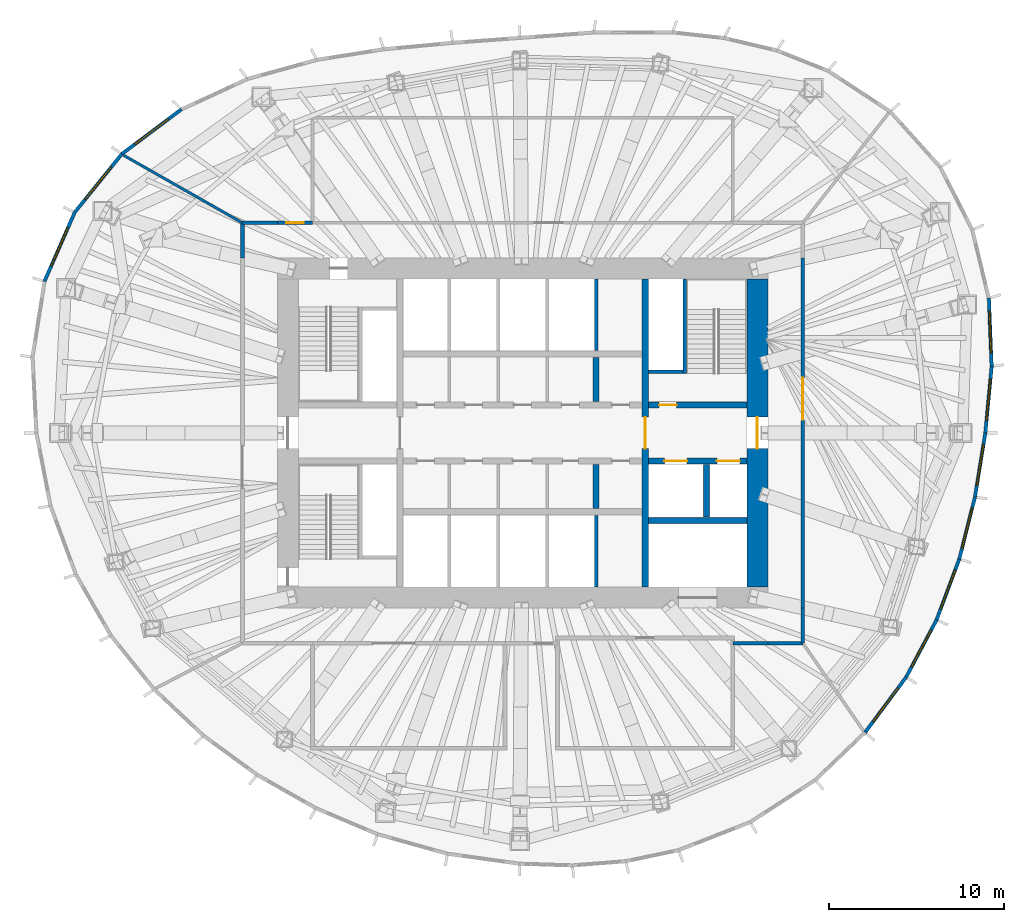
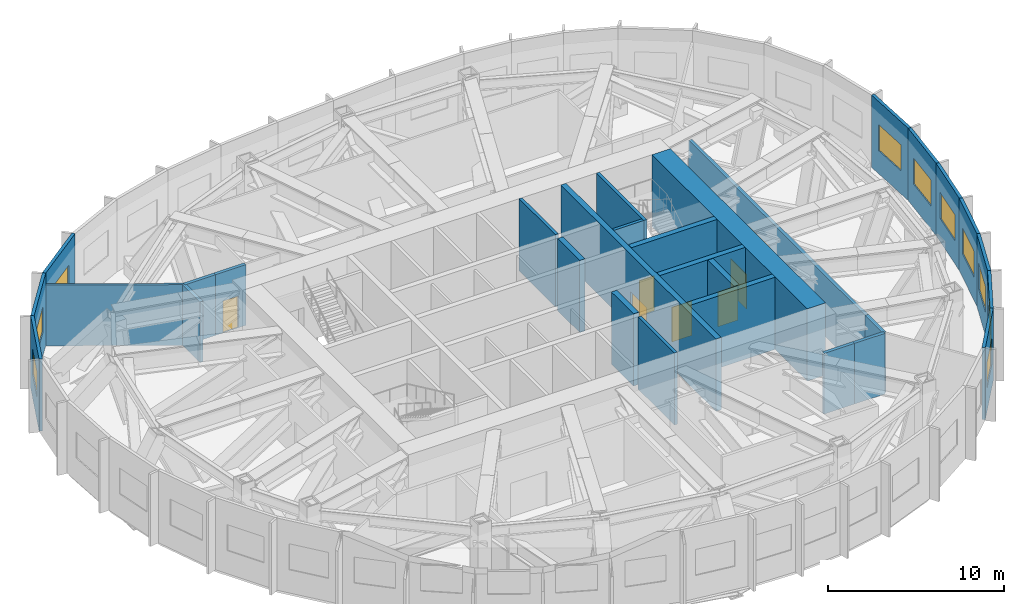
# One storey, part 8 of 11: 30 walls, 10 windows, 7 doors, 17 openings.
"""IFC4 building model written with IfcOpenShell, lengths in metres."""

from ifc_helpers import new_model, si_unit, direction, frame, frame_2d, origin, place, context, subcontext, project, spatial, rectangle, extrude, material, layer, layer_set, type_object, element, fill, save


model = new_model("IFC4")

# Units and contexts
model_context = context("Model", 3, precision=1e-05, world=origin(), true_north=direction((0.0, 1.0)))
body_context = subcontext(model_context, "Body", "Model", "MODEL_VIEW")
ifc_project = project(units=[si_unit("LENGTHUNIT", "METRE"), si_unit("AREAUNIT", "SQUARE_METRE"), si_unit("VOLUMEUNIT", "CUBIC_METRE"), si_unit("PLANEANGLEUNIT", "RADIAN"), si_unit("MASSUNIT", "GRAM", prefix="KILO")], contexts=[model_context])

# Site, building, storey
site_placement = place(None, origin())
site = spatial("IfcSite", under=ifc_project, at=site_placement, CompositionType="ELEMENT")
building_placement = place(site_placement, origin())
building = spatial("IfcBuilding", under=site, at=building_placement, Name="Ghaith Harvest Tower", CompositionType="ELEMENT")
storey_placement = place(building_placement, frame((0.0, 0.0, 266.199951171875)))
storey = spatial("IfcBuildingStorey", under=building, at=storey_placement, Name="L59", CompositionType="ELEMENT", Elevation=266.199951171875)

# Wall, opening, door
ifc_material_1 = material(Name="Concrete blockwork, 1-hour", Category="masonry")
ifc_layer_1 = layer(ifc_material_1, 0.215087890625)
ifc_layer_set_1 = layer_set([ifc_layer_1], Name="BLOCKWORK WALL 215")
wall_type_1 = type_object("IfcWallType", Name="BLOCKWORK WALL 215", PredefinedType="PARTITIONING", material=ifc_layer_set_1)
wall_1_placement = place(storey_placement, frame((-12.0, 12.0, 0.0), z_axis=(0.0, 0.0, 1.0), x_axis=(-1.0, 0.0, 0.0)))
wall_1 = element("IfcWall", 1, at=wall_1_placement, inside=storey, type_object=wall_type_1, Name="Plant room wall L59", PredefinedType="PARTITIONING", context=body_context, shape_type="SweptSolid", body=[
    extrude(rectangle(XDim=2.0, YDim=0.215087890625, at=frame_2d((1.0, 0.0))), origin(), (0.0, 0.0, 1.0), 4.199951171875),
])
opening_1_placement = place(wall_1_placement, frame((0.5, 0.0, 0.0)))
opening_1 = element("IfcOpeningElement", 2, at=opening_1_placement, cuts=wall_1, Name="Opening 59-024", PredefinedType="OPENING", context=body_context, shape_type="SweptSolid", body=[
    extrude(rectangle(XDim=1.0, YDim=2.199951171875, at=frame_2d((0.5, 1.10009765625))), frame((0.0, 0.11767578125, 0.0), z_axis=(0.0, -1.0, 0.0), x_axis=(1.0, 0.0, 0.0)), (0.0, 0.0, 1.0), 0.235107421875),
])
ifc_material_2 = material(Name="Timber door", Category="wood")
door_type_1 = type_object("IfcDoorType", Name="D1 SINGLE 1000x2200", OperationType="SINGLE_SWING_LEFT", PredefinedType="DOOR", material=ifc_material_2)
door_1_placement = place(opening_1_placement, origin())
door_1 = element("IfcDoor", 3, at=door_1_placement, inside=storey, type_object=door_type_1, Name="Air handling plant room north door", OperationType="SINGLE_SWING_LEFT", OverallHeight=2.199951171875, OverallWidth=1.0, PredefinedType="DOOR", context=body_context, shape_type="SweptSolid", body=[
    extrude(rectangle(XDim=1.0, YDim=2.199951171875, at=frame_2d((0.5, 1.10009765625))), frame((0.0, 0.02490234375, 0.0), z_axis=(0.0, -1.0, 0.0), x_axis=(1.0, 0.0, 0.0)), (0.0, 0.0, 1.0), 0.050048828125),
])
fill(opening_1, door_1)

# Walls
for number, where, z_axis, x_axis, name in (
    (4, (-14.0, 12.0, 0.0), (0.0, 0.0, 1.0), (-1.0, 0.0, 0.0), "Plant room wall L59"),
    (5, (16.0, -12.0, 0.0), (0.0, 0.0, 1.0), (0.0, 1.0, 0.0), "Plant room wall L59"),
):
    element("IfcWall", number, at=place(storey_placement, frame(where, z_axis=z_axis, x_axis=x_axis)), inside=storey, type_object=wall_type_1, Name=name, PredefinedType="PARTITIONING", context=body_context, shape_type="SweptSolid", body=[
        extrude(rectangle(XDim=2.0, YDim=0.215087890625, at=frame_2d((1.0, 0.0))), origin(), (0.0, 0.0, 1.0), 4.199951171875),
    ])

# Wall, opening, door
wall_2_placement = place(storey_placement, frame((16.0, -10.0, 0.0), z_axis=(0.0, 0.0, 1.0), x_axis=(0.0, 1.0, 0.0)))
wall_2 = element("IfcWall", 6, at=wall_2_placement, inside=storey, type_object=wall_type_1, Name="Plant room wall L59", PredefinedType="PARTITIONING", context=body_context, shape_type="SweptSolid", body=[
    extrude(rectangle(XDim=20.0, YDim=0.215087890625, at=frame_2d((10.0, 0.0))), origin(), (0.0, 0.0, 1.0), 4.199951171875),
])
opening_2_placement = place(wall_2_placement, frame((10.75, 0.0, 0.0)))
opening_2 = element("IfcOpeningElement", 7, at=opening_2_placement, cuts=wall_2, Name="Opening 59-025", PredefinedType="OPENING", context=body_context, shape_type="SweptSolid", body=[
    extrude(rectangle(XDim=2.39990234375, YDim=2.39990234375, at=frame_2d((1.199951171875, 1.199951171875))), frame((0.0, 0.11767578125, 0.0), z_axis=(0.0, -1.0, 0.0), x_axis=(1.0, 0.0, 0.0)), (0.0, 0.0, 1.0), 0.235107421875),
])
ifc_material_3 = material(Name="Timber door", Category="wood")
door_type_2 = type_object("IfcDoorType", Name="D10 PLANT PAIR 2400x2400", OperationType="DOUBLE_DOOR_SINGLE_SWING", PredefinedType="DOOR", material=ifc_material_3)
door_2_placement = place(opening_2_placement, origin())
door_2 = element("IfcDoor", 8, at=door_2_placement, inside=storey, type_object=door_type_2, Name="Chilled water plant room east door", OperationType="DOUBLE_DOOR_SINGLE_SWING", OverallHeight=2.39990234375, OverallWidth=2.39990234375, PredefinedType="DOOR", context=body_context, shape_type="SweptSolid", body=[
    extrude(rectangle(XDim=2.39990234375, YDim=2.39990234375, at=frame_2d((1.199951171875, 1.199951171875))), frame((0.0, 0.02490234375, 0.0), z_axis=(0.0, -1.0, 0.0), x_axis=(1.0, 0.0, 0.0)), (0.0, 0.0, 1.0), 0.050048828125),
])
fill(opening_2, door_2)

# Walls
for number, where, z_axis, x_axis, name in (
    (9, (12.0, -12.0, 0.0), (0.0, 0.0, 1.0), (1.0, 0.0, 0.0), "Plant room wall L59"),
    (10, (14.0, -12.0, 0.0), (0.0, 0.0, 1.0), (1.0, 0.0, 0.0), "Plant room wall L59"),
    (11, (-16.0, 12.0, 0.0), (0.0, 0.0, 1.0), (0.0, -1.0, 0.0), "Plant room wall L59"),
):
    element("IfcWall", number, at=place(storey_placement, frame(where, z_axis=z_axis, x_axis=x_axis)), inside=storey, type_object=wall_type_1, Name=name, PredefinedType="PARTITIONING", context=body_context, shape_type="SweptSolid", body=[
        extrude(rectangle(XDim=2.0, YDim=0.215087890625, at=frame_2d((1.0, 0.0))), origin(), (0.0, 0.0, 1.0), 4.199951171875),
    ])

# Wall, opening, door
ifc_material_4 = material(Name="Concrete C60/75", Category="concrete")
ifc_layer_2 = layer(ifc_material_4, 1.199951171875)
ifc_layer_set_2 = layer_set([ifc_layer_2], Name="CORE WALL CW1200 C60")
wall_type_2 = type_object("IfcWallType", Name="CORE WALL CW1200 C60", PredefinedType="SHEAR", material=ifc_layer_set_2)
wall_3_placement = place(storey_placement, frame((13.39990234375, -8.800048828125, 0.0), z_axis=(0.0, 0.0, 1.0), x_axis=(0.0, 1.0, 0.0)))
wall_3 = element("IfcWall", 12, at=wall_3_placement, inside=storey, type_object=wall_type_2, Name="Core wall E L59", PredefinedType="SHEAR", context=body_context, shape_type="SweptSolid", body=[
    extrude(rectangle(XDim=17.60009765625, YDim=1.199951171875, at=frame_2d((8.800048828125, 0.0))), origin(), (0.0, 0.0, 1.0), 5.0),
])
opening_3_placement = place(wall_3_placement, frame((7.89990234375, 0.0, 0.0)))
opening_3 = element("IfcOpeningElement", 13, at=opening_3_placement, cuts=wall_3, Name="Opening 59-002", PredefinedType="OPENING", context=body_context, shape_type="SweptSolid", body=[
    extrude(rectangle(XDim=1.800048828125, YDim=2.39990234375, at=frame_2d((0.89990234375, 1.199951171875))), frame((0.0, 0.60986328125, 0.0), z_axis=(0.0, -1.0, 0.0), x_axis=(1.0, 0.0, 0.0)), (0.0, 0.0, 1.0), 1.219970703125),
])
ifc_material_5 = material(Name="Steel fire door", Category="steel")
door_type_3 = type_object("IfcDoorType", Name="D4 FD90 PAIR 1800x2400", OperationType="DOUBLE_DOOR_SINGLE_SWING", PredefinedType="DOOR", material=ifc_material_5)
door_3_placement = place(opening_3_placement, origin())
door_3 = element("IfcDoor", 14, at=door_3_placement, inside=storey, type_object=door_type_3, Name="Fire-fighting lobby doors", OperationType="DOUBLE_DOOR_SINGLE_SWING", OverallHeight=2.39990234375, OverallWidth=1.800048828125, PredefinedType="DOOR", context=body_context, shape_type="SweptSolid", body=[
    extrude(rectangle(XDim=1.800048828125, YDim=2.39990234375, at=frame_2d((0.89990234375, 1.199951171875))), frame((0.0, 0.02490234375, 0.0), z_axis=(0.0, -1.0, 0.0), x_axis=(1.0, 0.0, 0.0)), (0.0, 0.0, 1.0), 0.050048828125),
])
fill(opening_3, door_3)

# Walls
ifc_material_6 = material(Name="Concrete blockwork, 2-hour", Category="masonry")
ifc_layer_3 = layer(ifc_material_6, 0.199951171875)
ifc_layer_set_3 = layer_set([ifc_layer_3], Name="LIFT SHAFT WALL 200")
wall_type_3 = type_object("IfcWallType", Name="LIFT SHAFT WALL 200", PredefinedType="PARTITIONING", material=ifc_layer_set_3)
for number, where, z_axis, x_axis, name in (
    (15, (4.199951171875, 4.699951171875, 0.0), (0.0, 0.0, 1.0), (0.0, 1.0, 0.0), "Lift shaft wall L59"),
    (16, (4.199951171875, -4.699951171875, 0.0), (0.0, 0.0, 1.0), (0.0, -1.0, 0.0), "Lift shaft wall L59"),
):
    element("IfcWall", number, at=place(storey_placement, frame(where, z_axis=z_axis, x_axis=x_axis)), inside=storey, type_object=wall_type_3, Name=name, PredefinedType="PARTITIONING", context=body_context, shape_type="SweptSolid", body=[
        extrude(rectangle(XDim=4.10009765625, YDim=0.199951171875, at=frame_2d((2.050048828125, 0.0))), origin(), (0.0, 0.0, 1.0), 5.0),
    ])
ifc_material_7 = material(Name="Gypsum board on steel studs", Category="steel")
ifc_layer_4 = layer(ifc_material_7, 0.14990234375)
ifc_layer_set_4 = layer_set([ifc_layer_4], Name="PARTITION 150")
wall_type_4 = type_object("IfcWallType", Name="PARTITION 150", PredefinedType="PARTITIONING", material=ifc_layer_set_4)
wall_4_placement = place(storey_placement, frame((-16.017333984375, 12.010009765625, 0.0), z_axis=(0.0, 0.0, 1.0), x_axis=(-0.869357432803, 0.494183826151, 0.0)))
element("IfcWall", 17, at=wall_4_placement, inside=storey, type_object=wall_type_4, Name="Partition L59 zone division", PredefinedType="PARTITIONING", context=body_context, shape_type="SweptSolid", body=[
    extrude(rectangle(XDim=7.791259765625, YDim=0.14990234375, at=frame_2d((3.8955078125, 0.0))), origin(), (0.0, 0.0, 1.0), 4.199951171875),
])

# Wall, opening, window
ifc_material_8 = material(Name="Steel, black insulated metal cladding panel", Category="steel")
ifc_layer_5 = layer(ifc_material_8, 0.199951171875)
ifc_layer_set_5 = layer_set([ifc_layer_5], Name="PLANT ENCLOSURE WALL 200")
wall_type_5 = type_object("IfcWallType", Name="PLANT ENCLOSURE WALL 200", PredefinedType="SOLIDWALL", material=ifc_layer_set_5)
wall_5_placement = place(storey_placement, frame((26.425048828125, 0.0, 0.0), z_axis=(0.0, 0.0, 1.0), x_axis=(0.094388753017, 0.995535415394, 0.0)))
wall_5 = element("IfcWall", 18, at=wall_5_placement, inside=storey, type_object=wall_type_5, Name="Plant enclosure wall 01.1 L59", PredefinedType="SOLIDWALL", context=body_context, shape_type="SweptSolid", body=[
    extrude(rectangle(XDim=3.81005859375, YDim=0.199951171875, at=frame_2d((1.905029296875, 0.0))), origin(), (0.0, 0.0, 1.0), 5.0),
])
opening_4_placement = place(wall_5_placement, frame((0.705078125, 0.0, 1.60009765625)))
opening_4 = element("IfcOpeningElement", 19, at=opening_4_placement, cuts=wall_5, Name="Opening LV1", PredefinedType="OPENING", context=body_context, shape_type="SweptSolid", body=[
    extrude(rectangle(XDim=2.39990234375, YDim=1.800048828125, at=frame_2d((1.199951171875, 0.89990234375))), frame((0.0, 0.10986328125, 0.0), z_axis=(0.0, -1.0, 0.0), x_axis=(1.0, 0.0, 0.0)), (0.0, 0.0, 1.0), 0.219970703125),
])
ifc_material_9 = material(Name="Aluminium louvre, black", Category="aluminium")
window_type = type_object("IfcWindowType", Name="LOUVRE L1 2400x1800", PartitioningType="SINGLE_PANEL", PredefinedType="WINDOW", material=ifc_material_9)
window_1_placement = place(opening_4_placement, origin())
window_1 = element("IfcWindow", 20, at=window_1_placement, inside=storey, type_object=window_type, Name="Plant louvre 01.1 L59", OverallHeight=1.800048828125, OverallWidth=2.39990234375, PartitioningType="SINGLE_PANEL", PredefinedType="WINDOW", context=body_context, shape_type="SweptSolid", body=[
    extrude(rectangle(XDim=2.39990234375, YDim=1.800048828125, at=frame_2d((1.199951171875, 0.89990234375))), frame((0.0, 0.030029296875, 0.0), z_axis=(0.0, -1.0, 0.0), x_axis=(1.0, 0.0, 0.0)), (0.0, 0.0, 1.0), 0.06005859375),
])
fill(opening_4, window_1)

wall_6_placement = place(storey_placement, frame((26.78466796875, 3.79296875, 0.0), z_axis=(0.0, 0.0, 1.0), x_axis=(-0.040315002364, 0.999187019824, 0.0)))
wall_6 = element("IfcWall", 21, at=wall_6_placement, inside=storey, type_object=wall_type_5, Name="Plant enclosure wall 01.2 L59", PredefinedType="SOLIDWALL", context=body_context, shape_type="SweptSolid", body=[
    extrude(rectangle(XDim=3.906005859375, YDim=0.199951171875, at=frame_2d((1.953125, 0.0))), origin(), (0.0, 0.0, 1.0), 5.0),
])
opening_5_placement = place(wall_6_placement, frame((0.7529296875, 0.0, 1.60009765625)))
opening_5 = element("IfcOpeningElement", 22, at=opening_5_placement, cuts=wall_6, Name="Opening LV1", PredefinedType="OPENING", context=body_context, shape_type="SweptSolid", body=[
    extrude(rectangle(XDim=2.39990234375, YDim=1.800048828125, at=frame_2d((1.199951171875, 0.89990234375))), frame((0.0, 0.10986328125, 0.0), z_axis=(0.0, -1.0, 0.0), x_axis=(1.0, 0.0, 0.0)), (0.0, 0.0, 1.0), 0.219970703125),
])
window_2_placement = place(opening_5_placement, origin())
window_2 = element("IfcWindow", 23, at=window_2_placement, inside=storey, type_object=window_type, Name="Plant louvre 01.2 L59", OverallHeight=1.800048828125, OverallWidth=2.39990234375, PartitioningType="SINGLE_PANEL", PredefinedType="WINDOW", context=body_context, shape_type="SweptSolid", body=[
    extrude(rectangle(XDim=2.39990234375, YDim=1.800048828125, at=frame_2d((1.199951171875, 0.89990234375))), frame((0.0, 0.030029296875, 0.0), z_axis=(0.0, -1.0, 0.0), x_axis=(1.0, 0.0, 0.0)), (0.0, 0.0, 1.0), 0.06005859375),
])
fill(opening_5, window_2)

wall_7_placement = place(storey_placement, frame((-19.480712890625, 18.4853515625, 0.0), z_axis=(0.0, 0.0, 1.0), x_axis=(-0.800137420308, -0.599816729195, 0.0)))
wall_7 = element("IfcWall", 24, at=wall_7_placement, inside=storey, type_object=wall_type_5, Name="Plant enclosure wall 08.2 L59", PredefinedType="SOLIDWALL", context=body_context, shape_type="SweptSolid", body=[
    extrude(rectangle(XDim=4.26318359375, YDim=0.199951171875, at=frame_2d((2.131591796875, 0.0))), origin(), (0.0, 0.0, 1.0), 5.0),
])
opening_6_placement = place(wall_7_placement, frame((0.931640625, 0.0, 1.60009765625)))
opening_6 = element("IfcOpeningElement", 25, at=opening_6_placement, cuts=wall_7, Name="Opening LV1", PredefinedType="OPENING", context=body_context, shape_type="SweptSolid", body=[
    extrude(rectangle(XDim=2.39990234375, YDim=1.800048828125, at=frame_2d((1.199951171875, 0.89990234375))), frame((0.0, 0.10986328125, 0.0), z_axis=(0.0, -1.0, 0.0), x_axis=(1.0, 0.0, 0.0)), (0.0, 0.0, 1.0), 0.219970703125),
])
window_3_placement = place(opening_6_placement, origin())
window_3 = element("IfcWindow", 26, at=window_3_placement, inside=storey, type_object=window_type, Name="Plant louvre 08.2 L59", OverallHeight=1.800048828125, OverallWidth=2.39990234375, PartitioningType="SINGLE_PANEL", PredefinedType="WINDOW", context=body_context, shape_type="SweptSolid", body=[
    extrude(rectangle(XDim=2.39990234375, YDim=1.800048828125, at=frame_2d((1.199951171875, 0.89990234375))), frame((0.0, 0.030029296875, 0.0), z_axis=(0.0, -1.0, 0.0), x_axis=(1.0, 0.0, 0.0)), (0.0, 0.0, 1.0), 0.06005859375),
])
fill(opening_6, window_3)

wall_8_placement = place(storey_placement, frame((-22.891845703125, 15.92822265625, 0.0), z_axis=(0.0, 0.0, 1.0), x_axis=(-0.627615481418, -0.778523479083, 0.0)))
wall_8 = element("IfcWall", 27, at=wall_8_placement, inside=storey, type_object=wall_type_5, Name="Plant enclosure wall 09.1 L59", PredefinedType="SOLIDWALL", context=body_context, shape_type="SweptSolid", body=[
    extrude(rectangle(XDim=4.28564453125, YDim=0.199951171875, at=frame_2d((2.142822265625, 0.0))), origin(), (0.0, 0.0, 1.0), 5.0),
])
opening_7_placement = place(wall_8_placement, frame((0.94287109375, 0.0, 1.60009765625)))
opening_7 = element("IfcOpeningElement", 28, at=opening_7_placement, cuts=wall_8, Name="Opening LV1", PredefinedType="OPENING", context=body_context, shape_type="SweptSolid", body=[
    extrude(rectangle(XDim=2.39990234375, YDim=1.800048828125, at=frame_2d((1.199951171875, 0.89990234375))), frame((0.0, 0.10986328125, 0.0), z_axis=(0.0, -1.0, 0.0), x_axis=(1.0, 0.0, 0.0)), (0.0, 0.0, 1.0), 0.219970703125),
])
window_4_placement = place(opening_7_placement, origin())
window_4 = element("IfcWindow", 29, at=window_4_placement, inside=storey, type_object=window_type, Name="Plant louvre 09.1 L59", OverallHeight=1.800048828125, OverallWidth=2.39990234375, PartitioningType="SINGLE_PANEL", PredefinedType="WINDOW", context=body_context, shape_type="SweptSolid", body=[
    extrude(rectangle(XDim=2.39990234375, YDim=1.800048828125, at=frame_2d((1.199951171875, 0.89990234375))), frame((0.0, 0.030029296875, 0.0), z_axis=(0.0, -1.0, 0.0), x_axis=(1.0, 0.0, 0.0)), (0.0, 0.0, 1.0), 0.06005859375),
])
fill(opening_7, window_4)

wall_9_placement = place(storey_placement, frame((-25.58154296875, 12.591796875, 0.0), z_axis=(0.0, 0.0, 1.0), x_axis=(-0.401274589955, -0.915957806592, 0.0)))
wall_9 = element("IfcWall", 30, at=wall_9_placement, inside=storey, type_object=wall_type_5, Name="Plant enclosure wall 09.2 L59", PredefinedType="SOLIDWALL", context=body_context, shape_type="SweptSolid", body=[
    extrude(rectangle(XDim=4.299072265625, YDim=0.199951171875, at=frame_2d((2.1494140625, 0.0))), origin(), (0.0, 0.0, 1.0), 5.0),
])
opening_8_placement = place(wall_9_placement, frame((0.94970703125, 0.0, 1.60009765625)))
opening_8 = element("IfcOpeningElement", 31, at=opening_8_placement, cuts=wall_9, Name="Opening LV1", PredefinedType="OPENING", context=body_context, shape_type="SweptSolid", body=[
    extrude(rectangle(XDim=2.39990234375, YDim=1.800048828125, at=frame_2d((1.199951171875, 0.89990234375))), frame((0.0, 0.10986328125, 0.0), z_axis=(0.0, -1.0, 0.0), x_axis=(1.0, 0.0, 0.0)), (0.0, 0.0, 1.0), 0.219970703125),
])
window_5_placement = place(opening_8_placement, origin())
window_5 = element("IfcWindow", 32, at=window_5_placement, inside=storey, type_object=window_type, Name="Plant louvre 09.2 L59", OverallHeight=1.800048828125, OverallWidth=2.39990234375, PartitioningType="SINGLE_PANEL", PredefinedType="WINDOW", context=body_context, shape_type="SweptSolid", body=[
    extrude(rectangle(XDim=2.39990234375, YDim=1.800048828125, at=frame_2d((1.199951171875, 0.89990234375))), frame((0.0, 0.030029296875, 0.0), z_axis=(0.0, -1.0, 0.0), x_axis=(1.0, 0.0, 0.0)), (0.0, 0.0, 1.0), 0.06005859375),
])
fill(opening_8, window_5)

wall_10_placement = place(storey_placement, frame((19.55908203125, -17.1025390625, 0.0), z_axis=(0.0, 0.0, 1.0), x_axis=(0.596033976517, 0.802959213682, 0.0)))
wall_10 = element("IfcWall", 33, at=wall_10_placement, inside=storey, type_object=wall_type_5, Name="Plant enclosure wall 18.2 L59", PredefinedType="SOLIDWALL", context=body_context, shape_type="SweptSolid", body=[
    extrude(rectangle(XDim=3.937255859375, YDim=0.199951171875, at=frame_2d((1.96875, 0.0))), origin(), (0.0, 0.0, 1.0), 5.0),
])
opening_9_placement = place(wall_10_placement, frame((0.7685546875, 0.0, 1.60009765625)))
opening_9 = element("IfcOpeningElement", 34, at=opening_9_placement, cuts=wall_10, Name="Opening LV1", PredefinedType="OPENING", context=body_context, shape_type="SweptSolid", body=[
    extrude(rectangle(XDim=2.39990234375, YDim=1.800048828125, at=frame_2d((1.199951171875, 0.89990234375))), frame((0.0, 0.10986328125, 0.0), z_axis=(0.0, -1.0, 0.0), x_axis=(1.0, 0.0, 0.0)), (0.0, 0.0, 1.0), 0.219970703125),
])
window_6_placement = place(opening_9_placement, origin())
window_6 = element("IfcWindow", 35, at=window_6_placement, inside=storey, type_object=window_type, Name="Plant louvre 18.2 L59", OverallHeight=1.800048828125, OverallWidth=2.39990234375, PartitioningType="SINGLE_PANEL", PredefinedType="WINDOW", context=body_context, shape_type="SweptSolid", body=[
    extrude(rectangle(XDim=2.39990234375, YDim=1.800048828125, at=frame_2d((1.199951171875, 0.89990234375))), frame((0.0, 0.030029296875, 0.0), z_axis=(0.0, -1.0, 0.0), x_axis=(1.0, 0.0, 0.0)), (0.0, 0.0, 1.0), 0.06005859375),
])
fill(opening_9, window_6)

wall_11_placement = place(storey_placement, frame((21.90576171875, -13.941162109375, 0.0), z_axis=(0.0, 0.0, 1.0), x_axis=(0.468618096336, 0.883400860191, 0.0)))
wall_11 = element("IfcWall", 36, at=wall_11_placement, inside=storey, type_object=wall_type_5, Name="Plant enclosure wall 19.1 L59", PredefinedType="SOLIDWALL", context=body_context, shape_type="SweptSolid", body=[
    extrude(rectangle(XDim=3.700439453125, YDim=0.199951171875, at=frame_2d((1.85009765625, 0.0))), origin(), (0.0, 0.0, 1.0), 5.0),
])
opening_10_placement = place(wall_11_placement, frame((0.650146484375, 0.0, 1.60009765625)))
opening_10 = element("IfcOpeningElement", 37, at=opening_10_placement, cuts=wall_11, Name="Opening LV1", PredefinedType="OPENING", context=body_context, shape_type="SweptSolid", body=[
    extrude(rectangle(XDim=2.39990234375, YDim=1.800048828125, at=frame_2d((1.199951171875, 0.89990234375))), frame((0.0, 0.10986328125, 0.0), z_axis=(0.0, -1.0, 0.0), x_axis=(1.0, 0.0, 0.0)), (0.0, 0.0, 1.0), 0.219970703125),
])
window_7_placement = place(opening_10_placement, origin())
window_7 = element("IfcWindow", 38, at=window_7_placement, inside=storey, type_object=window_type, Name="Plant louvre 19.1 L59", OverallHeight=1.800048828125, OverallWidth=2.39990234375, PartitioningType="SINGLE_PANEL", PredefinedType="WINDOW", context=body_context, shape_type="SweptSolid", body=[
    extrude(rectangle(XDim=2.39990234375, YDim=1.800048828125, at=frame_2d((1.199951171875, 0.89990234375))), frame((0.0, 0.030029296875, 0.0), z_axis=(0.0, -1.0, 0.0), x_axis=(1.0, 0.0, 0.0)), (0.0, 0.0, 1.0), 0.06005859375),
])
fill(opening_10, window_7)

wall_12_placement = place(storey_placement, frame((23.639892578125, -10.672119140625, 0.0), z_axis=(0.0, 0.0, 1.0), x_axis=(0.350544822287, 0.936545955929, 0.0)))
wall_12 = element("IfcWall", 39, at=wall_12_placement, inside=storey, type_object=wall_type_5, Name="Plant enclosure wall 19.2 L59", PredefinedType="SOLIDWALL", context=body_context, shape_type="SweptSolid", body=[
    extrude(rectangle(XDim=3.69970703125, YDim=0.199951171875, at=frame_2d((1.849853515625, 0.0))), origin(), (0.0, 0.0, 1.0), 5.0),
])
opening_11_placement = place(wall_12_placement, frame((0.64990234375, 0.0, 1.60009765625)))
opening_11 = element("IfcOpeningElement", 40, at=opening_11_placement, cuts=wall_12, Name="Opening LV1", PredefinedType="OPENING", context=body_context, shape_type="SweptSolid", body=[
    extrude(rectangle(XDim=2.39990234375, YDim=1.800048828125, at=frame_2d((1.199951171875, 0.89990234375))), frame((0.0, 0.10986328125, 0.0), z_axis=(0.0, -1.0, 0.0), x_axis=(1.0, 0.0, 0.0)), (0.0, 0.0, 1.0), 0.219970703125),
])
window_8_placement = place(opening_11_placement, origin())
window_8 = element("IfcWindow", 41, at=window_8_placement, inside=storey, type_object=window_type, Name="Plant louvre 19.2 L59", OverallHeight=1.800048828125, OverallWidth=2.39990234375, PartitioningType="SINGLE_PANEL", PredefinedType="WINDOW", context=body_context, shape_type="SweptSolid", body=[
    extrude(rectangle(XDim=2.39990234375, YDim=1.800048828125, at=frame_2d((1.199951171875, 0.89990234375))), frame((0.0, 0.030029296875, 0.0), z_axis=(0.0, -1.0, 0.0), x_axis=(1.0, 0.0, 0.0)), (0.0, 0.0, 1.0), 0.06005859375),
])
fill(opening_11, window_8)

wall_13_placement = place(storey_placement, frame((24.936767578125, -7.207275390625, 0.0), z_axis=(0.0, 0.0, 1.0), x_axis=(0.244904540495, 0.969547196399, 0.0)))
wall_13 = element("IfcWall", 42, at=wall_13_placement, inside=storey, type_object=wall_type_5, Name="Plant enclosure wall 20.1 L59", PredefinedType="SOLIDWALL", context=body_context, shape_type="SweptSolid", body=[
    extrude(rectangle(XDim=3.66064453125, YDim=0.199951171875, at=frame_2d((1.830322265625, 0.0))), origin(), (0.0, 0.0, 1.0), 5.0),
])
opening_12_placement = place(wall_13_placement, frame((0.630126953125, 0.0, 1.60009765625)))
opening_12 = element("IfcOpeningElement", 43, at=opening_12_placement, cuts=wall_13, Name="Opening LV1", PredefinedType="OPENING", context=body_context, shape_type="SweptSolid", body=[
    extrude(rectangle(XDim=2.39990234375, YDim=1.800048828125, at=frame_2d((1.199951171875, 0.89990234375))), frame((0.0, 0.10986328125, 0.0), z_axis=(0.0, -1.0, 0.0), x_axis=(1.0, 0.0, 0.0)), (0.0, 0.0, 1.0), 0.219970703125),
])
window_9_placement = place(opening_12_placement, origin())
window_9 = element("IfcWindow", 44, at=window_9_placement, inside=storey, type_object=window_type, Name="Plant louvre 20.1 L59", OverallHeight=1.800048828125, OverallWidth=2.39990234375, PartitioningType="SINGLE_PANEL", PredefinedType="WINDOW", context=body_context, shape_type="SweptSolid", body=[
    extrude(rectangle(XDim=2.39990234375, YDim=1.800048828125, at=frame_2d((1.199951171875, 0.89990234375))), frame((0.0, 0.030029296875, 0.0), z_axis=(0.0, -1.0, 0.0), x_axis=(1.0, 0.0, 0.0)), (0.0, 0.0, 1.0), 0.06005859375),
])
fill(opening_12, window_9)

wall_14_placement = place(storey_placement, frame((25.833251953125, -3.658203125, 0.0), z_axis=(0.0, 0.0, 1.0), x_axis=(0.159696397008, 0.987166176883, 0.0)))
wall_14 = element("IfcWall", 45, at=wall_14_placement, inside=storey, type_object=wall_type_5, Name="Plant enclosure wall 20.2 L59", PredefinedType="SOLIDWALL", context=body_context, shape_type="SweptSolid", body=[
    extrude(rectangle(XDim=3.705810546875, YDim=0.199951171875, at=frame_2d((1.85302734375, 0.0))), origin(), (0.0, 0.0, 1.0), 5.0),
])
opening_13_placement = place(wall_14_placement, frame((0.65283203125, 0.0, 1.60009765625)))
opening_13 = element("IfcOpeningElement", 46, at=opening_13_placement, cuts=wall_14, Name="Opening LV1", PredefinedType="OPENING", context=body_context, shape_type="SweptSolid", body=[
    extrude(rectangle(XDim=2.39990234375, YDim=1.800048828125, at=frame_2d((1.199951171875, 0.89990234375))), frame((0.0, 0.10986328125, 0.0), z_axis=(0.0, -1.0, 0.0), x_axis=(1.0, 0.0, 0.0)), (0.0, 0.0, 1.0), 0.219970703125),
])
window_10_placement = place(opening_13_placement, origin())
window_10 = element("IfcWindow", 47, at=window_10_placement, inside=storey, type_object=window_type, Name="Plant louvre 20.2 L59", OverallHeight=1.800048828125, OverallWidth=2.39990234375, PartitioningType="SINGLE_PANEL", PredefinedType="WINDOW", context=body_context, shape_type="SweptSolid", body=[
    extrude(rectangle(XDim=2.39990234375, YDim=1.800048828125, at=frame_2d((1.199951171875, 0.89990234375))), frame((0.0, 0.030029296875, 0.0), z_axis=(0.0, -1.0, 0.0), x_axis=(1.0, 0.0, 0.0)), (0.0, 0.0, 1.0), 0.06005859375),
])
fill(opening_13, window_10)

# Wall, opening, door
ifc_material_10 = material(Name="Concrete C60/75", Category="concrete")
ifc_layer_6 = layer(ifc_material_10, 0.35009765625)
ifc_layer_set_6 = layer_set([ifc_layer_6], Name="SHAFT WALL 350")
wall_type_6 = type_object("IfcWallType", Name="SHAFT WALL 350", PredefinedType="SHEAR", material=ifc_layer_set_6)
wall_15_placement = place(storey_placement, frame((7.0, -8.800048828125, 0.0), z_axis=(0.0, 0.0, 1.0), x_axis=(0.0, 1.0, 0.0)))
wall_15 = element("IfcWall", 48, at=wall_15_placement, inside=storey, type_object=wall_type_6, Name="Shaft wall W7E L59", PredefinedType="SHEAR", context=body_context, shape_type="SweptSolid", body=[
    extrude(rectangle(XDim=17.60009765625, YDim=0.35009765625, at=frame_2d((8.800048828125, 0.0))), origin(), (0.0, 0.0, 1.0), 5.0),
])
opening_14_placement = place(wall_15_placement, frame((7.89990234375, 0.0, 0.0)))
opening_14 = element("IfcOpeningElement", 49, at=opening_14_placement, cuts=wall_15, Name="Opening 59-004", PredefinedType="OPENING", context=body_context, shape_type="SweptSolid", body=[
    extrude(rectangle(XDim=1.800048828125, YDim=2.39990234375, at=frame_2d((0.89990234375, 1.199951171875))), frame((0.0, 0.18505859375, 0.0), z_axis=(0.0, -1.0, 0.0), x_axis=(1.0, 0.0, 0.0)), (0.0, 0.0, 1.0), 0.3701171875),
])
door_4_placement = place(opening_14_placement, origin())
door_4 = element("IfcDoor", 50, at=door_4_placement, inside=storey, type_object=door_type_3, Name="Lift lobby doors, east", OperationType="DOUBLE_DOOR_SINGLE_SWING", OverallHeight=2.39990234375, OverallWidth=1.800048828125, PredefinedType="DOOR", context=body_context, shape_type="SweptSolid", body=[
    extrude(rectangle(XDim=1.800048828125, YDim=2.39990234375, at=frame_2d((0.89990234375, 1.199951171875))), frame((0.0, 0.02490234375, 0.0), z_axis=(0.0, -1.0, 0.0), x_axis=(1.0, 0.0, 0.0)), (0.0, 0.0, 1.0), 0.050048828125),
])
fill(opening_14, door_4)

wall_16_placement = place(storey_placement, frame((7.199951171875, 1.60009765625, 0.0), z_axis=(0.0, 0.0, 1.0), x_axis=(1.0, 0.0, 0.0)))
wall_16 = element("IfcWall", 51, at=wall_16_placement, inside=storey, type_object=wall_type_6, Name="Shaft wall EN L59", PredefinedType="SHEAR", context=body_context, shape_type="SweptSolid", body=[
    extrude(rectangle(XDim=5.60009765625, YDim=0.35009765625, at=frame_2d((2.800048828125, 0.0))), origin(), (0.0, 0.0, 1.0), 5.0),
])
opening_15_placement = place(wall_16_placement, frame((0.60009765625, 0.0, 0.0)))
opening_15 = element("IfcOpeningElement", 52, at=opening_15_placement, cuts=wall_16, Name="Opening 59-007", PredefinedType="OPENING", context=body_context, shape_type="SweptSolid", body=[
    extrude(rectangle(XDim=1.0, YDim=2.39990234375, at=frame_2d((0.5, 1.199951171875))), frame((0.0, 0.18505859375, 0.0), z_axis=(0.0, -1.0, 0.0), x_axis=(1.0, 0.0, 0.0)), (0.0, 0.0, 1.0), 0.3701171875),
])
ifc_material_11 = material(Name="Steel fire door", Category="steel")
door_type_4 = type_object("IfcDoorType", Name="D3 FD90 1000x2400", OperationType="SINGLE_SWING_LEFT", PredefinedType="DOOR", material=ifc_material_11)
door_5_placement = place(opening_15_placement, origin())
door_5 = element("IfcDoor", 53, at=door_5_placement, inside=storey, type_object=door_type_4, Name="Stair ST2 door", OperationType="SINGLE_SWING_LEFT", OverallHeight=2.39990234375, OverallWidth=1.0, PredefinedType="DOOR", context=body_context, shape_type="SweptSolid", body=[
    extrude(rectangle(XDim=1.0, YDim=2.39990234375, at=frame_2d((0.5, 1.199951171875))), frame((0.0, 0.02490234375, 0.0), z_axis=(0.0, -1.0, 0.0), x_axis=(1.0, 0.0, 0.0)), (0.0, 0.0, 1.0), 0.050048828125),
])
fill(opening_15, door_5)

# Wall, openings, doors
wall_17_placement = place(storey_placement, frame((7.199951171875, -1.60009765625, 0.0), z_axis=(0.0, 0.0, 1.0), x_axis=(1.0, 0.0, 0.0)))
wall_17 = element("IfcWall", 54, at=wall_17_placement, inside=storey, type_object=wall_type_6, Name="Shaft wall ES L59", PredefinedType="SHEAR", context=body_context, shape_type="SweptSolid", body=[
    extrude(rectangle(XDim=5.60009765625, YDim=0.35009765625, at=frame_2d((2.800048828125, 0.0))), origin(), (0.0, 0.0, 1.0), 5.0),
])
opening_16_placement = place(wall_17_placement, frame((0.89990234375, 0.0, 0.0)))
opening_16 = element("IfcOpeningElement", 55, at=opening_16_placement, cuts=wall_17, Name="Opening 59-018", PredefinedType="OPENING", context=body_context, shape_type="SweptSolid", body=[
    extrude(rectangle(XDim=1.300048828125, YDim=2.39990234375, at=frame_2d((0.64990234375, 1.199951171875))), frame((0.0, 0.18505859375, 0.0), z_axis=(0.0, -1.0, 0.0), x_axis=(1.0, 0.0, 0.0)), (0.0, 0.0, 1.0), 0.3701171875),
])
opening_17_placement = place(wall_17_placement, frame((3.89990234375, 0.0, 0.0)))
opening_17 = element("IfcOpeningElement", 56, at=opening_17_placement, cuts=wall_17, Name="Opening 59-019", PredefinedType="OPENING", context=body_context, shape_type="SweptSolid", body=[
    extrude(rectangle(XDim=1.300048828125, YDim=2.39990234375, at=frame_2d((0.64990234375, 1.199951171875))), frame((0.0, 0.18505859375, 0.0), z_axis=(0.0, -1.0, 0.0), x_axis=(1.0, 0.0, 0.0)), (0.0, 0.0, 1.0), 0.3701171875),
])
ifc_material_12 = material(Name="Steel fire door", Category="steel")
door_type_5 = type_object("IfcDoorType", Name="LD2 LANDING 1300x2400", OperationType="DOUBLE_DOOR_SLIDING", PredefinedType="DOOR", material=ifc_material_12)
door_6_placement = place(opening_16_placement, origin())
door_6 = element("IfcDoor", 57, at=door_6_placement, inside=storey, type_object=door_type_5, Name="Landing door, fire service lift FL1", OperationType="DOUBLE_DOOR_SLIDING", OverallHeight=2.39990234375, OverallWidth=1.300048828125, PredefinedType="DOOR", context=body_context, shape_type="SweptSolid", body=[
    extrude(rectangle(XDim=1.300048828125, YDim=2.39990234375, at=frame_2d((0.64990234375, 1.199951171875))), frame((0.0, 0.02490234375, 0.0), z_axis=(0.0, -1.0, 0.0), x_axis=(1.0, 0.0, 0.0)), (0.0, 0.0, 1.0), 0.050048828125),
])
fill(opening_16, door_6)
door_7_placement = place(opening_17_placement, origin())
door_7 = element("IfcDoor", 58, at=door_7_placement, inside=storey, type_object=door_type_5, Name="Landing door, fire service lift FL2", OperationType="DOUBLE_DOOR_SLIDING", OverallHeight=2.39990234375, OverallWidth=1.300048828125, PredefinedType="DOOR", context=body_context, shape_type="SweptSolid", body=[
    extrude(rectangle(XDim=1.300048828125, YDim=2.39990234375, at=frame_2d((0.64990234375, 1.199951171875))), frame((0.0, 0.02490234375, 0.0), z_axis=(0.0, -1.0, 0.0), x_axis=(1.0, 0.0, 0.0)), (0.0, 0.0, 1.0), 0.050048828125),
])
fill(opening_17, door_7)

# Walls
wall_18_placement = place(storey_placement, frame((10.5, -4.800048828125, 0.0), z_axis=(0.0, 0.0, 1.0), x_axis=(0.0, 1.0, 0.0)))
element("IfcWall", 59, at=wall_18_placement, inside=storey, type_object=wall_type_6, Name="Shaft wall FLD L59", PredefinedType="SHEAR", context=body_context, shape_type="SweptSolid", body=[
    extrude(rectangle(XDim=3.0, YDim=0.35009765625, at=frame_2d((1.5, 0.0))), origin(), (0.0, 0.0, 1.0), 5.0),
])
wall_19_placement = place(storey_placement, frame((7.199951171875, -5.0, 0.0), z_axis=(0.0, 0.0, 1.0), x_axis=(1.0, 0.0, 0.0)))
element("IfcWall", 60, at=wall_19_placement, inside=storey, type_object=wall_type_6, Name="Shaft wall FLB L59", PredefinedType="SHEAR", context=body_context, shape_type="SweptSolid", body=[
    extrude(rectangle(XDim=5.60009765625, YDim=0.35009765625, at=frame_2d((2.800048828125, 0.0))), origin(), (0.0, 0.0, 1.0), 5.0),
])
for number, where, z_axis, x_axis, name in (
    (61, (4.199951171875, 1.800048828125, 0.0), (0.0, 0.0, 1.0), (0.0, 1.0, 0.0), "Shaft wall DN4 L59"),
    (62, (4.199951171875, -4.300048828125, 0.0), (0.0, 0.0, 1.0), (0.0, 1.0, 0.0), "Shaft wall DS4 L59"),
):
    element("IfcWall", number, at=place(storey_placement, frame(where, z_axis=z_axis, x_axis=x_axis)), inside=storey, type_object=wall_type_6, Name=name, PredefinedType="SHEAR", context=body_context, shape_type="SweptSolid", body=[
        extrude(rectangle(XDim=2.5, YDim=0.35009765625, at=frame_2d((1.25, 0.0))), origin(), (0.0, 0.0, 1.0), 5.0),
    ])
ifc_material_13 = material(Name="Concrete C40/50", Category="concrete")
ifc_layer_7 = layer(ifc_material_13, 0.199951171875)
ifc_layer_set_7 = layer_set([ifc_layer_7], Name="STAIR SPINE WALL RC200")
wall_type_7 = type_object("IfcWallType", Name="STAIR SPINE WALL RC200", PredefinedType="SOLIDWALL", material=ifc_layer_set_7)
wall_20_placement = place(storey_placement, frame((9.25, 3.39990234375, 0.0), z_axis=(0.0, 0.0, 1.0), x_axis=(0.0, 1.0, 0.0)))
element("IfcWall", 63, at=wall_20_placement, inside=storey, type_object=wall_type_7, Name="Stair ST2 spine wall L59", PredefinedType="SOLIDWALL", context=body_context, shape_type="SweptSolid", body=[
    extrude(rectangle(XDim=5.400146484375, YDim=0.199951171875, at=frame_2d((2.7001953125, 0.0))), origin(), (0.0, 0.0, 1.0), 5.0),
])
wall_21_placement = place(storey_placement, frame((9.14990234375, 3.5, 0.0), z_axis=(0.0, 0.0, 1.0), x_axis=(-1.0, 0.0, 0.0)))
element("IfcWall", 64, at=wall_21_placement, inside=storey, type_object=wall_type_7, Name="Stair ST2 spine wall return L59", PredefinedType="SOLIDWALL", context=body_context, shape_type="SweptSolid", body=[
    extrude(rectangle(XDim=1.949951171875, YDim=0.199951171875, at=frame_2d((0.97509765625, 0.0))), origin(), (0.0, 0.0, 1.0), 5.0),
])

save(model, "model.ifc")
